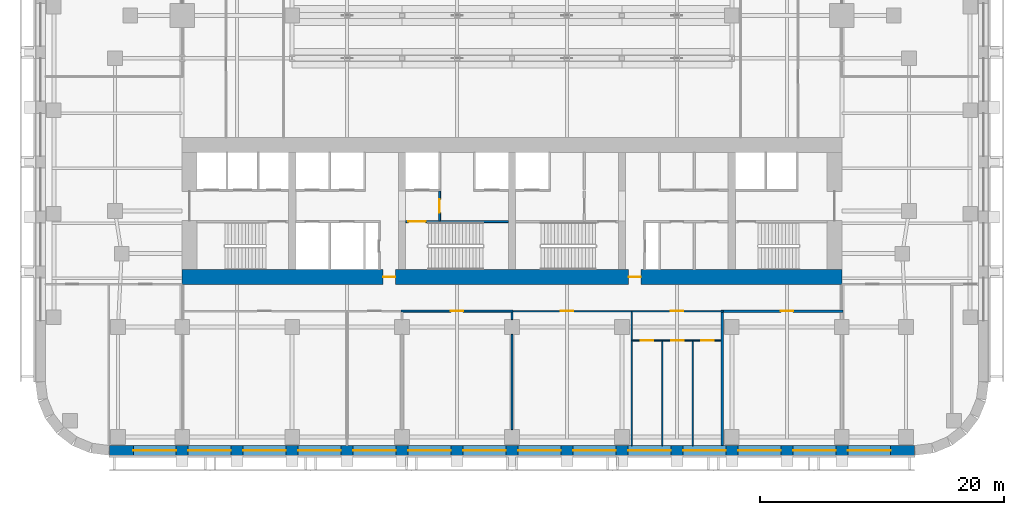
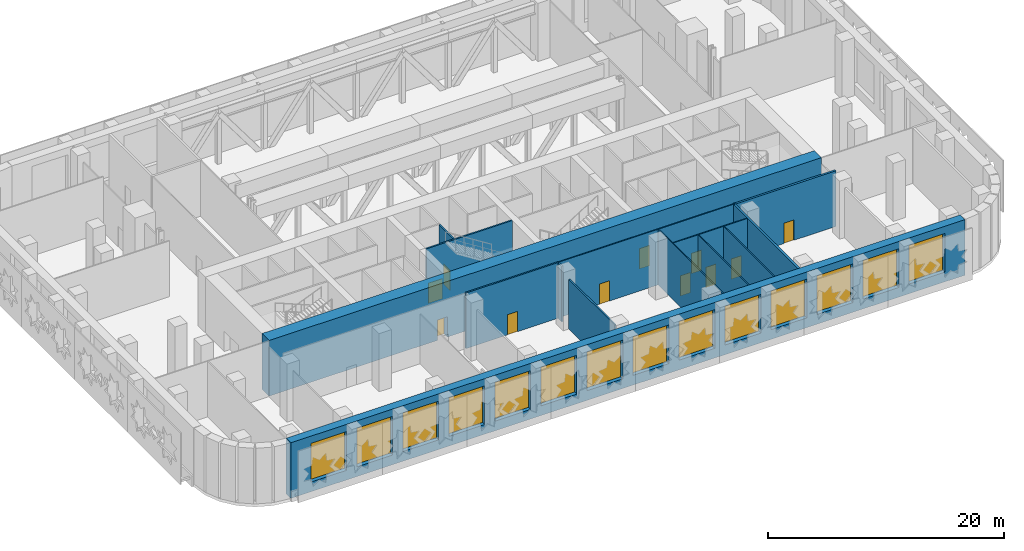
# One storey, part 6 of 15: 14 walls, 14 windows, 11 doors, 25 openings.
"""IFC4 building model written with IfcOpenShell, lengths in metres."""

from ifc_helpers import new_model, si_unit, direction, frame, frame_2d, origin, place, context, subcontext, project, spatial, rectangle, extrude, material, layer, layer_set, type_object, element, fill, save


model = new_model("IFC4")

# Units and contexts
model_context = context("Model", 3, precision=1e-05, world=origin(), true_north=direction((0.0, 1.0)))
body_context = subcontext(model_context, "Body", "Model", "MODEL_VIEW")
ifc_project = project(units=[si_unit("LENGTHUNIT", "METRE"), si_unit("AREAUNIT", "SQUARE_METRE"), si_unit("VOLUMEUNIT", "CUBIC_METRE"), si_unit("PLANEANGLEUNIT", "RADIAN"), si_unit("MASSUNIT", "GRAM", prefix="KILO")], contexts=[model_context])

# Site, building, storey
site_placement = place(None, origin())
site = spatial("IfcSite", under=ifc_project, at=site_placement, CompositionType="ELEMENT")
building_placement = place(site_placement, origin())
building = spatial("IfcBuilding", under=site, at=building_placement, Name="Zellij Exchange Tower", CompositionType="ELEMENT")
storey_placement = place(building_placement, frame((0.0, 0.0, 33.0)))
storey = spatial("IfcBuildingStorey", under=building, at=storey_placement, Name="L05", CompositionType="ELEMENT", Elevation=33.0)

# Wall, opening, door
ifc_material_1 = material(Name="Gypsum shaft wall system")
ifc_layer_1 = layer(ifc_material_1, 0.14990234375)
ifc_layer_set_1 = layer_set([ifc_layer_1], Name="Gypsum shaft wall system")
wall_type_1 = type_object("IfcWallType", Name="CORE-PW 150 Firefighting lobby wall", PredefinedType="PARTITIONING", material=ifc_layer_set_1)
wall_1_placement = place(storey_placement, frame((-5.925048828125, -8.800048828125, 0.0), z_axis=(0.0, 0.0, 1.0), x_axis=(0.0, 1.0, 0.0)))
wall_1 = element("IfcWall", 1, at=wall_1_placement, inside=storey, type_object=wall_type_1, Name="Firefighting lobby wall L05", PredefinedType="PARTITIONING", context=body_context, shape_type="SweptSolid", body=[
    extrude(rectangle(XDim=2.425048828125, YDim=0.14990234375, at=frame_2d((1.21240234375, 0.0))), origin(), (0.0, 0.0, 1.0), 5.75),
])
opening_1_placement = place(wall_1_placement, frame((0.662109375, 0.0, 0.0)))
opening_1 = element("IfcOpeningElement", 2, at=opening_1_placement, cuts=wall_1, Name="Opening CA-05.14", PredefinedType="OPENING", context=body_context, shape_type="SweptSolid", body=[
    extrude(rectangle(XDim=1.10009765625, YDim=2.10009765625, at=frame_2d((0.550048828125, 1.050048828125))), frame((0.0, 0.0869140625, 0.0), z_axis=(0.0, -1.0, 0.0), x_axis=(1.0, 0.0, 0.0)), (0.0, 0.0, 1.0), 0.173828125),
])
ifc_material_2 = material(Name="Hollow metal fire door")
door_type_1 = type_object("IfcDoorType", Name="CORE-D F Firefighting lobby door 1100x2100 1 HR", OperationType="NOTDEFINED", PredefinedType="DOOR", material=ifc_material_2)
door_1_placement = place(opening_1_placement, origin())
door_1 = element("IfcDoor", 3, at=door_1_placement, inside=storey, type_object=door_type_1, Name="Firefighting lobby door CA-05.14", OperationType="SINGLE_SWING_LEFT", OverallHeight=2.10009765625, OverallWidth=1.10009765625, PredefinedType="DOOR", context=body_context, shape_type="SweptSolid", body=[
    extrude(rectangle(XDim=1.10009765625, YDim=2.10009765625, at=frame_2d((0.550048828125, 1.050048828125))), frame((0.0, 0.02490234375, 0.0), z_axis=(0.0, -1.0, 0.0), x_axis=(1.0, 0.0, 0.0)), (0.0, 0.0, 1.0), 0.050048828125),
])
fill(opening_1, door_1)

# Wall, openings, doors
ifc_material_3 = material(Name="Concrete C70/85", Category="concrete")
ifc_layer_2 = layer(ifc_material_3, 1.199951171875)
ifc_layer_set_2 = layer_set([ifc_layer_2], Name="Concrete C70/85")
wall_type_2 = type_object("IfcWallType", Name="CORE-SW 1200 C70/85", PredefinedType="SHEAR", material=ifc_layer_set_2)
wall_2_placement = place(storey_placement, frame((-27.0, -13.39990234375, 0.0), z_axis=(0.0, 0.0, 1.0), x_axis=(1.0, 0.0, 0.0)))
wall_2 = element("IfcWall", 4, at=wall_2_placement, inside=storey, type_object=wall_type_2, Name="Core shear wall rear L05", PredefinedType="SHEAR", context=body_context, shape_type="SweptSolid", body=[
    extrude(rectangle(XDim=54.0, YDim=1.199951171875, at=frame_2d((27.0, 0.0))), origin(), (0.0, 0.0, 1.0), 5.75),
])
opening_2_placement = place(wall_2_placement, frame((16.449951171875, 0.0, 0.0)))
opening_2 = element("IfcOpeningElement", 5, at=opening_2_placement, cuts=wall_2, Name="Opening CA-05.11", PredefinedType="OPENING", context=body_context, shape_type="SweptSolid", body=[
    extrude(rectangle(XDim=1.0, YDim=2.10009765625, at=frame_2d((0.5, 1.050048828125))), frame((0.0, 0.61181640625, 0.0), z_axis=(0.0, -1.0, 0.0), x_axis=(1.0, 0.0, 0.0)), (0.0, 0.0, 1.0), 1.223876953125),
])
opening_3_placement = place(wall_2_placement, frame((36.550048828125, 0.0, 0.0)))
opening_3 = element("IfcOpeningElement", 6, at=opening_3_placement, cuts=wall_2, Name="Opening CA-05.19", PredefinedType="OPENING", context=body_context, shape_type="SweptSolid", body=[
    extrude(rectangle(XDim=1.0, YDim=2.10009765625, at=frame_2d((0.5, 1.050048828125))), frame((0.0, 0.61181640625, 0.0), z_axis=(0.0, -1.0, 0.0), x_axis=(1.0, 0.0, 0.0)), (0.0, 0.0, 1.0), 1.223876953125),
])
door_type_2 = type_object("IfcDoorType", Name="CORE-D CR Core rear door 1000x2100 20 MIN", OperationType="NOTDEFINED", PredefinedType="DOOR", material=ifc_material_2)
door_2_placement = place(opening_2_placement, origin())
door_2 = element("IfcDoor", 7, at=door_2_placement, inside=storey, type_object=door_type_2, Name="Core rear door CA-05.11", OperationType="SINGLE_SWING_RIGHT", OverallHeight=2.10009765625, OverallWidth=1.0, PredefinedType="DOOR", context=body_context, shape_type="SweptSolid", body=[
    extrude(rectangle(XDim=1.0, YDim=2.10009765625, at=frame_2d((0.5, 1.050048828125))), frame((0.0, 0.02490234375, 0.0), z_axis=(0.0, -1.0, 0.0), x_axis=(1.0, 0.0, 0.0)), (0.0, 0.0, 1.0), 0.050048828125),
])
fill(opening_2, door_2)
door_3_placement = place(opening_3_placement, origin())
door_3 = element("IfcDoor", 8, at=door_3_placement, inside=storey, type_object=door_type_2, Name="Core rear door CA-05.19", OperationType="SINGLE_SWING_LEFT", OverallHeight=2.10009765625, OverallWidth=1.0, PredefinedType="DOOR", context=body_context, shape_type="SweptSolid", body=[
    extrude(rectangle(XDim=1.0, YDim=2.10009765625, at=frame_2d((0.5, 1.050048828125))), frame((0.0, 0.02490234375, 0.0), z_axis=(0.0, -1.0, 0.0), x_axis=(1.0, 0.0, 0.0)), (0.0, 0.0, 1.0), 0.050048828125),
])
fill(opening_3, door_3)

# Wall, opening, door
ifc_layer_3 = layer(ifc_material_3, 0.14990234375)
ifc_layer_set_3 = layer_set([ifc_layer_3], Name="Concrete C70/85")
wall_type_3 = type_object("IfcWallType", Name="CORE-SWS 150 C70/85", PredefinedType="SHEAR", material=ifc_layer_set_3)
wall_3_placement = place(storey_placement, frame((-8.699951171875, -8.875, 0.0), z_axis=(0.0, 0.0, 1.0), x_axis=(1.0, 0.0, 0.0)))
wall_3 = element("IfcWall", 9, at=wall_3_placement, inside=storey, type_object=wall_type_3, Name="Stair enclosure wall L05", PredefinedType="SHEAR", context=body_context, shape_type="SweptSolid", body=[
    extrude(rectangle(XDim=8.39990234375, YDim=0.14990234375, at=frame_2d((4.199951171875, 0.0))), origin(), (0.0, 0.0, 1.0), 5.75),
])
opening_4_placement = place(wall_3_placement, frame((0.22509765625, 0.0, 0.0)))
opening_4 = element("IfcOpeningElement", 10, at=opening_4_placement, cuts=wall_3, Name="Opening CA-05.12", PredefinedType="OPENING", context=body_context, shape_type="SweptSolid", body=[
    extrude(rectangle(XDim=1.39990234375, YDim=2.10009765625, at=frame_2d((0.699951171875, 1.050048828125))), frame((0.0, 0.0869140625, 0.0), z_axis=(0.0, -1.0, 0.0), x_axis=(1.0, 0.0, 0.0)), (0.0, 0.0, 1.0), 0.173828125),
])
door_type_3 = type_object("IfcDoorType", Name="CORE-D SD Stair door 1400x2100 1.5 HR", OperationType="NOTDEFINED", PredefinedType="DOOR", material=ifc_material_2)
door_4_placement = place(opening_4_placement, origin())
door_4 = element("IfcDoor", 11, at=door_4_placement, inside=storey, type_object=door_type_3, Name="Stair door CA-05.12", OperationType="DOUBLE_DOOR_SINGLE_SWING", OverallHeight=2.10009765625, OverallWidth=1.39990234375, PredefinedType="DOOR", context=body_context, shape_type="SweptSolid", body=[
    extrude(rectangle(XDim=1.39990234375, YDim=2.10009765625, at=frame_2d((0.699951171875, 1.050048828125))), frame((0.0, 0.02490234375, 0.0), z_axis=(0.0, -1.0, 0.0), x_axis=(1.0, 0.0, 0.0)), (0.0, 0.0, 1.0), 0.050048828125),
])
fill(opening_4, door_4)

# Wall, openings, windows
ifc_material_4 = material(Name="Precast concrete C40/50", Category="concrete")
ifc_layer_4 = layer(ifc_material_4, 0.800048828125)
ifc_layer_set_4 = layer_set([ifc_layer_4], Name="Precast concrete C40/50")
wall_type_4 = type_object("IfcWallType", Name="ENV-EW1 Precast stone-piered wall 800", PredefinedType="SOLIDWALL", material=ifc_layer_set_4)
wall_4_placement = place(storey_placement, frame((-32.947509765625, -27.60009765625, 0.0), z_axis=(0.0, 0.0, 1.0), x_axis=(1.0, 0.0, 0.0)))
wall_4 = element("IfcWall", 12, at=wall_4_placement, inside=storey, type_object=wall_type_4, Name="fac.L05.00", PredefinedType="SOLIDWALL", context=body_context, shape_type="SweptSolid", body=[
    extrude(rectangle(XDim=65.89501953125, YDim=0.800048828125, at=frame_2d((32.947509765625, 0.0))), origin(), (0.0, 0.0, 1.0), 5.75),
])
opening_5_placement = place(wall_4_placement, frame((1.947509765625, 0.0, 1.0)))
opening_5 = element("IfcOpeningElement", 13, at=opening_5_placement, cuts=wall_4, Name="Opening FP.01", PredefinedType="OPENING", context=body_context, shape_type="SweptSolid", body=[
    extrude(rectangle(XDim=3.5, YDim=4.0, at=frame_2d((1.75, 2.0))), frame((0.0, 0.412109375, 0.0), z_axis=(0.0, -1.0, 0.0), x_axis=(1.0, 0.0, 0.0)), (0.0, 0.0, 1.0), 0.823974609375),
])
opening_6_placement = place(wall_4_placement, frame((6.447509765625, 0.0, 1.0)))
opening_6 = element("IfcOpeningElement", 14, at=opening_6_placement, cuts=wall_4, Name="Opening FP.02", PredefinedType="OPENING", context=body_context, shape_type="SweptSolid", body=[
    extrude(rectangle(XDim=3.5, YDim=4.0, at=frame_2d((1.75, 2.0))), frame((0.0, 0.412109375, 0.0), z_axis=(0.0, -1.0, 0.0), x_axis=(1.0, 0.0, 0.0)), (0.0, 0.0, 1.0), 0.823974609375),
])
opening_7_placement = place(wall_4_placement, frame((10.947509765625, 0.0, 1.0)))
opening_7 = element("IfcOpeningElement", 15, at=opening_7_placement, cuts=wall_4, Name="Opening FP.03", PredefinedType="OPENING", context=body_context, shape_type="SweptSolid", body=[
    extrude(rectangle(XDim=3.5, YDim=4.0, at=frame_2d((1.75, 2.0))), frame((0.0, 0.412109375, 0.0), z_axis=(0.0, -1.0, 0.0), x_axis=(1.0, 0.0, 0.0)), (0.0, 0.0, 1.0), 0.823974609375),
])
opening_8_placement = place(wall_4_placement, frame((15.447509765625, 0.0, 1.0)))
opening_8 = element("IfcOpeningElement", 16, at=opening_8_placement, cuts=wall_4, Name="Opening FP.04", PredefinedType="OPENING", context=body_context, shape_type="SweptSolid", body=[
    extrude(rectangle(XDim=3.5, YDim=4.0, at=frame_2d((1.75, 2.0))), frame((0.0, 0.412109375, 0.0), z_axis=(0.0, -1.0, 0.0), x_axis=(1.0, 0.0, 0.0)), (0.0, 0.0, 1.0), 0.823974609375),
])
opening_9_placement = place(wall_4_placement, frame((19.947509765625, 0.0, 1.0)))
opening_9 = element("IfcOpeningElement", 17, at=opening_9_placement, cuts=wall_4, Name="Opening FP.05", PredefinedType="OPENING", context=body_context, shape_type="SweptSolid", body=[
    extrude(rectangle(XDim=3.5, YDim=4.0, at=frame_2d((1.75, 2.0))), frame((0.0, 0.412109375, 0.0), z_axis=(0.0, -1.0, 0.0), x_axis=(1.0, 0.0, 0.0)), (0.0, 0.0, 1.0), 0.823974609375),
])
opening_10_placement = place(wall_4_placement, frame((24.447509765625, 0.0, 1.0)))
opening_10 = element("IfcOpeningElement", 18, at=opening_10_placement, cuts=wall_4, Name="Opening FP.06", PredefinedType="OPENING", context=body_context, shape_type="SweptSolid", body=[
    extrude(rectangle(XDim=3.5, YDim=4.0, at=frame_2d((1.75, 2.0))), frame((0.0, 0.412109375, 0.0), z_axis=(0.0, -1.0, 0.0), x_axis=(1.0, 0.0, 0.0)), (0.0, 0.0, 1.0), 0.823974609375),
])
opening_11_placement = place(wall_4_placement, frame((28.947509765625, 0.0, 1.0)))
opening_11 = element("IfcOpeningElement", 19, at=opening_11_placement, cuts=wall_4, Name="Opening FP.07", PredefinedType="OPENING", context=body_context, shape_type="SweptSolid", body=[
    extrude(rectangle(XDim=3.5, YDim=4.0, at=frame_2d((1.75, 2.0))), frame((0.0, 0.412109375, 0.0), z_axis=(0.0, -1.0, 0.0), x_axis=(1.0, 0.0, 0.0)), (0.0, 0.0, 1.0), 0.823974609375),
])
opening_12_placement = place(wall_4_placement, frame((33.447509765625, 0.0, 1.0)))
opening_12 = element("IfcOpeningElement", 20, at=opening_12_placement, cuts=wall_4, Name="Opening FP.08", PredefinedType="OPENING", context=body_context, shape_type="SweptSolid", body=[
    extrude(rectangle(XDim=3.5, YDim=4.0, at=frame_2d((1.75, 2.0))), frame((0.0, 0.412109375, 0.0), z_axis=(0.0, -1.0, 0.0), x_axis=(1.0, 0.0, 0.0)), (0.0, 0.0, 1.0), 0.823974609375),
])
opening_13_placement = place(wall_4_placement, frame((37.947509765625, 0.0, 1.0)))
opening_13 = element("IfcOpeningElement", 21, at=opening_13_placement, cuts=wall_4, Name="Opening FP.09", PredefinedType="OPENING", context=body_context, shape_type="SweptSolid", body=[
    extrude(rectangle(XDim=3.5, YDim=4.0, at=frame_2d((1.75, 2.0))), frame((0.0, 0.412109375, 0.0), z_axis=(0.0, -1.0, 0.0), x_axis=(1.0, 0.0, 0.0)), (0.0, 0.0, 1.0), 0.823974609375),
])
opening_14_placement = place(wall_4_placement, frame((42.447509765625, 0.0, 1.0)))
opening_14 = element("IfcOpeningElement", 22, at=opening_14_placement, cuts=wall_4, Name="Opening FP.10", PredefinedType="OPENING", context=body_context, shape_type="SweptSolid", body=[
    extrude(rectangle(XDim=3.5, YDim=4.0, at=frame_2d((1.75, 2.0))), frame((0.0, 0.412109375, 0.0), z_axis=(0.0, -1.0, 0.0), x_axis=(1.0, 0.0, 0.0)), (0.0, 0.0, 1.0), 0.823974609375),
])
opening_15_placement = place(wall_4_placement, frame((46.947509765625, 0.0, 1.0)))
opening_15 = element("IfcOpeningElement", 23, at=opening_15_placement, cuts=wall_4, Name="Opening FP.11", PredefinedType="OPENING", context=body_context, shape_type="SweptSolid", body=[
    extrude(rectangle(XDim=3.5, YDim=4.0, at=frame_2d((1.75, 2.0))), frame((0.0, 0.412109375, 0.0), z_axis=(0.0, -1.0, 0.0), x_axis=(1.0, 0.0, 0.0)), (0.0, 0.0, 1.0), 0.823974609375),
])
opening_16_placement = place(wall_4_placement, frame((51.447509765625, 0.0, 1.0)))
opening_16 = element("IfcOpeningElement", 24, at=opening_16_placement, cuts=wall_4, Name="Opening FP.12", PredefinedType="OPENING", context=body_context, shape_type="SweptSolid", body=[
    extrude(rectangle(XDim=3.5, YDim=4.0, at=frame_2d((1.75, 2.0))), frame((0.0, 0.412109375, 0.0), z_axis=(0.0, -1.0, 0.0), x_axis=(1.0, 0.0, 0.0)), (0.0, 0.0, 1.0), 0.823974609375),
])
opening_17_placement = place(wall_4_placement, frame((55.947509765625, 0.0, 1.0)))
opening_17 = element("IfcOpeningElement", 25, at=opening_17_placement, cuts=wall_4, Name="Opening FP.13", PredefinedType="OPENING", context=body_context, shape_type="SweptSolid", body=[
    extrude(rectangle(XDim=3.5, YDim=4.0, at=frame_2d((1.75, 2.0))), frame((0.0, 0.412109375, 0.0), z_axis=(0.0, -1.0, 0.0), x_axis=(1.0, 0.0, 0.0)), (0.0, 0.0, 1.0), 0.823974609375),
])
opening_18_placement = place(wall_4_placement, frame((60.447509765625, 0.0, 1.0)))
opening_18 = element("IfcOpeningElement", 26, at=opening_18_placement, cuts=wall_4, Name="Opening FP.14", PredefinedType="OPENING", context=body_context, shape_type="SweptSolid", body=[
    extrude(rectangle(XDim=3.5, YDim=4.0, at=frame_2d((1.75, 2.0))), frame((0.0, 0.412109375, 0.0), z_axis=(0.0, -1.0, 0.0), x_axis=(1.0, 0.0, 0.0)), (0.0, 0.0, 1.0), 0.823974609375),
])
ifc_material_5 = material(Name="Aluminium frame with insulating glass", Category="aluminium")
window_type = type_object("IfcWindowType", Name="ENV-W2 Window 3500x4000", PartitioningType="SINGLE_PANEL", PredefinedType="WINDOW", material=ifc_material_5)
window_1_placement = place(opening_5_placement, origin())
window_1 = element("IfcWindow", 27, at=window_1_placement, inside=storey, type_object=window_type, Name="Window FP.01", OverallHeight=4.0, OverallWidth=3.5, PartitioningType="SINGLE_PANEL", PredefinedType="WINDOW", context=body_context, shape_type="SweptSolid", body=[
    extrude(rectangle(XDim=3.5, YDim=4.0, at=frame_2d((1.75, 2.0))), frame((0.0, 0.030029296875, 0.0), z_axis=(0.0, -1.0, 0.0), x_axis=(1.0, 0.0, 0.0)), (0.0, 0.0, 1.0), 0.06005859375),
])
fill(opening_5, window_1)
window_2_placement = place(opening_6_placement, origin())
window_2 = element("IfcWindow", 28, at=window_2_placement, inside=storey, type_object=window_type, Name="Window FP.02", OverallHeight=4.0, OverallWidth=3.5, PartitioningType="SINGLE_PANEL", PredefinedType="WINDOW", context=body_context, shape_type="SweptSolid", body=[
    extrude(rectangle(XDim=3.5, YDim=4.0, at=frame_2d((1.75, 2.0))), frame((0.0, 0.030029296875, 0.0), z_axis=(0.0, -1.0, 0.0), x_axis=(1.0, 0.0, 0.0)), (0.0, 0.0, 1.0), 0.06005859375),
])
fill(opening_6, window_2)
window_3_placement = place(opening_7_placement, origin())
window_3 = element("IfcWindow", 29, at=window_3_placement, inside=storey, type_object=window_type, Name="Window FP.03", OverallHeight=4.0, OverallWidth=3.5, PartitioningType="SINGLE_PANEL", PredefinedType="WINDOW", context=body_context, shape_type="SweptSolid", body=[
    extrude(rectangle(XDim=3.5, YDim=4.0, at=frame_2d((1.75, 2.0))), frame((0.0, 0.030029296875, 0.0), z_axis=(0.0, -1.0, 0.0), x_axis=(1.0, 0.0, 0.0)), (0.0, 0.0, 1.0), 0.06005859375),
])
fill(opening_7, window_3)
window_4_placement = place(opening_8_placement, origin())
window_4 = element("IfcWindow", 30, at=window_4_placement, inside=storey, type_object=window_type, Name="Window FP.04", OverallHeight=4.0, OverallWidth=3.5, PartitioningType="SINGLE_PANEL", PredefinedType="WINDOW", context=body_context, shape_type="SweptSolid", body=[
    extrude(rectangle(XDim=3.5, YDim=4.0, at=frame_2d((1.75, 2.0))), frame((0.0, 0.030029296875, 0.0), z_axis=(0.0, -1.0, 0.0), x_axis=(1.0, 0.0, 0.0)), (0.0, 0.0, 1.0), 0.06005859375),
])
fill(opening_8, window_4)
window_5_placement = place(opening_9_placement, origin())
window_5 = element("IfcWindow", 31, at=window_5_placement, inside=storey, type_object=window_type, Name="Window FP.05", OverallHeight=4.0, OverallWidth=3.5, PartitioningType="SINGLE_PANEL", PredefinedType="WINDOW", context=body_context, shape_type="SweptSolid", body=[
    extrude(rectangle(XDim=3.5, YDim=4.0, at=frame_2d((1.75, 2.0))), frame((0.0, 0.030029296875, 0.0), z_axis=(0.0, -1.0, 0.0), x_axis=(1.0, 0.0, 0.0)), (0.0, 0.0, 1.0), 0.06005859375),
])
fill(opening_9, window_5)
window_6_placement = place(opening_10_placement, origin())
window_6 = element("IfcWindow", 32, at=window_6_placement, inside=storey, type_object=window_type, Name="Window FP.06", OverallHeight=4.0, OverallWidth=3.5, PartitioningType="SINGLE_PANEL", PredefinedType="WINDOW", context=body_context, shape_type="SweptSolid", body=[
    extrude(rectangle(XDim=3.5, YDim=4.0, at=frame_2d((1.75, 2.0))), frame((0.0, 0.030029296875, 0.0), z_axis=(0.0, -1.0, 0.0), x_axis=(1.0, 0.0, 0.0)), (0.0, 0.0, 1.0), 0.06005859375),
])
fill(opening_10, window_6)
window_7_placement = place(opening_11_placement, origin())
window_7 = element("IfcWindow", 33, at=window_7_placement, inside=storey, type_object=window_type, Name="Window FP.07", OverallHeight=4.0, OverallWidth=3.5, PartitioningType="SINGLE_PANEL", PredefinedType="WINDOW", context=body_context, shape_type="SweptSolid", body=[
    extrude(rectangle(XDim=3.5, YDim=4.0, at=frame_2d((1.75, 2.0))), frame((0.0, 0.030029296875, 0.0), z_axis=(0.0, -1.0, 0.0), x_axis=(1.0, 0.0, 0.0)), (0.0, 0.0, 1.0), 0.06005859375),
])
fill(opening_11, window_7)
window_8_placement = place(opening_12_placement, origin())
window_8 = element("IfcWindow", 34, at=window_8_placement, inside=storey, type_object=window_type, Name="Window FP.08", OverallHeight=4.0, OverallWidth=3.5, PartitioningType="SINGLE_PANEL", PredefinedType="WINDOW", context=body_context, shape_type="SweptSolid", body=[
    extrude(rectangle(XDim=3.5, YDim=4.0, at=frame_2d((1.75, 2.0))), frame((0.0, 0.030029296875, 0.0), z_axis=(0.0, -1.0, 0.0), x_axis=(1.0, 0.0, 0.0)), (0.0, 0.0, 1.0), 0.06005859375),
])
fill(opening_12, window_8)
window_9_placement = place(opening_13_placement, origin())
window_9 = element("IfcWindow", 35, at=window_9_placement, inside=storey, type_object=window_type, Name="Window FP.09", OverallHeight=4.0, OverallWidth=3.5, PartitioningType="SINGLE_PANEL", PredefinedType="WINDOW", context=body_context, shape_type="SweptSolid", body=[
    extrude(rectangle(XDim=3.5, YDim=4.0, at=frame_2d((1.75, 2.0))), frame((0.0, 0.030029296875, 0.0), z_axis=(0.0, -1.0, 0.0), x_axis=(1.0, 0.0, 0.0)), (0.0, 0.0, 1.0), 0.06005859375),
])
fill(opening_13, window_9)
window_10_placement = place(opening_14_placement, origin())
window_10 = element("IfcWindow", 36, at=window_10_placement, inside=storey, type_object=window_type, Name="Window FP.10", OverallHeight=4.0, OverallWidth=3.5, PartitioningType="SINGLE_PANEL", PredefinedType="WINDOW", context=body_context, shape_type="SweptSolid", body=[
    extrude(rectangle(XDim=3.5, YDim=4.0, at=frame_2d((1.75, 2.0))), frame((0.0, 0.030029296875, 0.0), z_axis=(0.0, -1.0, 0.0), x_axis=(1.0, 0.0, 0.0)), (0.0, 0.0, 1.0), 0.06005859375),
])
fill(opening_14, window_10)
window_11_placement = place(opening_15_placement, origin())
window_11 = element("IfcWindow", 37, at=window_11_placement, inside=storey, type_object=window_type, Name="Window FP.11", OverallHeight=4.0, OverallWidth=3.5, PartitioningType="SINGLE_PANEL", PredefinedType="WINDOW", context=body_context, shape_type="SweptSolid", body=[
    extrude(rectangle(XDim=3.5, YDim=4.0, at=frame_2d((1.75, 2.0))), frame((0.0, 0.030029296875, 0.0), z_axis=(0.0, -1.0, 0.0), x_axis=(1.0, 0.0, 0.0)), (0.0, 0.0, 1.0), 0.06005859375),
])
fill(opening_15, window_11)
window_12_placement = place(opening_16_placement, origin())
window_12 = element("IfcWindow", 38, at=window_12_placement, inside=storey, type_object=window_type, Name="Window FP.12", OverallHeight=4.0, OverallWidth=3.5, PartitioningType="SINGLE_PANEL", PredefinedType="WINDOW", context=body_context, shape_type="SweptSolid", body=[
    extrude(rectangle(XDim=3.5, YDim=4.0, at=frame_2d((1.75, 2.0))), frame((0.0, 0.030029296875, 0.0), z_axis=(0.0, -1.0, 0.0), x_axis=(1.0, 0.0, 0.0)), (0.0, 0.0, 1.0), 0.06005859375),
])
fill(opening_16, window_12)
window_13_placement = place(opening_17_placement, origin())
window_13 = element("IfcWindow", 39, at=window_13_placement, inside=storey, type_object=window_type, Name="Window FP.13", OverallHeight=4.0, OverallWidth=3.5, PartitioningType="SINGLE_PANEL", PredefinedType="WINDOW", context=body_context, shape_type="SweptSolid", body=[
    extrude(rectangle(XDim=3.5, YDim=4.0, at=frame_2d((1.75, 2.0))), frame((0.0, 0.030029296875, 0.0), z_axis=(0.0, -1.0, 0.0), x_axis=(1.0, 0.0, 0.0)), (0.0, 0.0, 1.0), 0.06005859375),
])
fill(opening_17, window_13)
window_14_placement = place(opening_18_placement, origin())
window_14 = element("IfcWindow", 40, at=window_14_placement, inside=storey, type_object=window_type, Name="Window FP.14", OverallHeight=4.0, OverallWidth=3.5, PartitioningType="SINGLE_PANEL", PredefinedType="WINDOW", context=body_context, shape_type="SweptSolid", body=[
    extrude(rectangle(XDim=3.5, YDim=4.0, at=frame_2d((1.75, 2.0))), frame((0.0, 0.030029296875, 0.0), z_axis=(0.0, -1.0, 0.0), x_axis=(1.0, 0.0, 0.0)), (0.0, 0.0, 1.0), 0.06005859375),
])
fill(opening_18, window_14)

# Wall
ifc_material_6 = material(Name="Blockwork partition", Category="masonry")
ifc_layer_5 = layer(ifc_material_6, 0.199951171875)
ifc_layer_set_5 = layer_set([ifc_layer_5], Name="Blockwork partition")
wall_type_5 = type_object("IfcWallType", Name="FIT-BLOCKWORK-200", PredefinedType="PARTITIONING", material=ifc_layer_set_5)
wall_5_placement = place(storey_placement, frame((17.199951171875, -27.199951171875, 0.0), z_axis=(0.0, 0.0, 1.0), x_axis=(0.0, 1.0, 0.0)))
element("IfcWall", 41, at=wall_5_placement, inside=storey, type_object=wall_type_5, Name="FIT-BLOCKWORK-200 012", PredefinedType="PARTITIONING", context=body_context, shape_type="SweptSolid", body=[
    extrude(rectangle(XDim=10.89990234375, YDim=0.199951171875, at=frame_2d((5.449951171875, 0.0))), origin(), (0.0, 0.0, 1.0), 5.75),
])

# Wall, opening, door
wall_6_placement = place(storey_placement, frame((17.10009765625, -16.199951171875, 0.0), z_axis=(0.0, 0.0, 1.0), x_axis=(1.0, 0.0, 0.0)))
wall_6 = element("IfcWall", 42, at=wall_6_placement, inside=storey, type_object=wall_type_5, Name="FIT-BLOCKWORK-200 021", PredefinedType="PARTITIONING", context=body_context, shape_type="SweptSolid", body=[
    extrude(rectangle(XDim=10.0, YDim=0.199951171875, at=frame_2d((5.0, 0.0))), origin(), (0.0, 0.0, 1.0), 5.75),
])
opening_19_placement = place(wall_6_placement, frame((4.89990234375, 0.0, 0.0)))
opening_19 = element("IfcOpeningElement", 43, at=opening_19_placement, cuts=wall_6, Name="Opening P5.09", PredefinedType="OPENING", context=body_context, shape_type="SweptSolid", body=[
    extrude(rectangle(XDim=1.0, YDim=2.10009765625, at=frame_2d((0.5, 1.050048828125))), frame((0.0, 0.11181640625, 0.0), z_axis=(0.0, -1.0, 0.0), x_axis=(1.0, 0.0, 0.0)), (0.0, 0.0, 1.0), 0.223876953125),
])
ifc_material_7 = material(Name="Timber door set", Category="wood")
door_type_4 = type_object("IfcDoorType", Name="FIT-D2-WIDE-1000X2100", OperationType="SINGLE_SWING_LEFT", PredefinedType="DOOR", material=ifc_material_7)
door_5_placement = place(opening_19_placement, origin())
door_5 = element("IfcDoor", 44, at=door_5_placement, inside=storey, type_object=door_type_4, Name="Door P5.09", OperationType="SINGLE_SWING_LEFT", OverallHeight=2.10009765625, OverallWidth=1.0, PredefinedType="DOOR", context=body_context, shape_type="SweptSolid", body=[
    extrude(rectangle(XDim=1.0, YDim=2.10009765625, at=frame_2d((0.5, 1.050048828125))), frame((0.0, 0.02490234375, 0.0), z_axis=(0.0, -1.0, 0.0), x_axis=(1.0, 0.0, 0.0)), (0.0, 0.0, 1.0), 0.050048828125),
])
fill(opening_19, door_5)

# Walls
ifc_material_8 = material(Name="Gypsum board partition on steel studs", Category="steel")
ifc_layer_6 = layer(ifc_material_8, 0.10009765625)
ifc_layer_set_6 = layer_set([ifc_layer_6], Name="Gypsum board partition on steel studs")
wall_type_6 = type_object("IfcWallType", Name="FIT-PARTITION-100", PredefinedType="PARTITIONING", material=ifc_layer_set_6)
wall_7_placement = place(storey_placement, frame((9.800048828125, -27.199951171875, 0.0), z_axis=(0.0, 0.0, 1.0), x_axis=(0.0, 1.0, 0.0)))
element("IfcWall", 45, at=wall_7_placement, inside=storey, type_object=wall_type_6, Name="FIT-PARTITION-100 009", PredefinedType="PARTITIONING", context=body_context, shape_type="SweptSolid", body=[
    extrude(rectangle(XDim=10.949951171875, YDim=0.10009765625, at=frame_2d((5.47509765625, 0.0))), origin(), (0.0, 0.0, 1.0), 5.75),
])
for number, where, z_axis, x_axis, name in (
    (46, (12.300048828125, -27.199951171875, 0.0), (0.0, 0.0, 1.0), (0.0, 1.0, 0.0), "FIT-PARTITION-100 010"),
    (47, (14.800048828125, -27.199951171875, 0.0), (0.0, 0.0, 1.0), (0.0, 1.0, 0.0), "FIT-PARTITION-100 011"),
):
    element("IfcWall", number, at=place(storey_placement, frame(where, z_axis=z_axis, x_axis=x_axis)), inside=storey, type_object=wall_type_6, Name=name, PredefinedType="PARTITIONING", context=body_context, shape_type="SweptSolid", body=[
        extrude(rectangle(XDim=8.550048828125, YDim=0.10009765625, at=frame_2d((4.27490234375, 0.0))), origin(), (0.0, 0.0, 1.0), 5.75),
    ])

# Wall, openings, doors
wall_8_placement = place(storey_placement, frame((9.85009765625, -18.60009765625, 0.0), z_axis=(0.0, 0.0, 1.0), x_axis=(1.0, 0.0, 0.0)))
wall_8 = element("IfcWall", 48, at=wall_8_placement, inside=storey, type_object=wall_type_6, Name="FIT-PARTITION-100 017", PredefinedType="PARTITIONING", context=body_context, shape_type="SweptSolid", body=[
    extrude(rectangle(XDim=7.25, YDim=0.10009765625, at=frame_2d((3.625, 0.0))), origin(), (0.0, 0.0, 1.0), 5.75),
])
opening_20_placement = place(wall_8_placement, frame((0.699951171875, 0.0, 0.0)))
opening_20 = element("IfcOpeningElement", 49, at=opening_20_placement, cuts=wall_8, Name="Opening P5.01", PredefinedType="OPENING", context=body_context, shape_type="SweptSolid", body=[
    extrude(rectangle(XDim=1.0, YDim=2.10009765625, at=frame_2d((0.5, 1.050048828125))), frame((0.0, 0.06201171875, 0.0), z_axis=(0.0, -1.0, 0.0), x_axis=(1.0, 0.0, 0.0)), (0.0, 0.0, 1.0), 0.1240234375),
])
opening_21_placement = place(wall_8_placement, frame((3.199951171875, 0.0, 0.0)))
opening_21 = element("IfcOpeningElement", 50, at=opening_21_placement, cuts=wall_8, Name="Opening P5.02", PredefinedType="OPENING", context=body_context, shape_type="SweptSolid", body=[
    extrude(rectangle(XDim=1.0, YDim=2.10009765625, at=frame_2d((0.5, 1.050048828125))), frame((0.0, 0.06201171875, 0.0), z_axis=(0.0, -1.0, 0.0), x_axis=(1.0, 0.0, 0.0)), (0.0, 0.0, 1.0), 0.1240234375),
])
opening_22_placement = place(wall_8_placement, frame((5.64990234375, 0.0, 0.0)))
opening_22 = element("IfcOpeningElement", 51, at=opening_22_placement, cuts=wall_8, Name="Opening P5.03", PredefinedType="OPENING", context=body_context, shape_type="SweptSolid", body=[
    extrude(rectangle(XDim=1.0, YDim=2.10009765625, at=frame_2d((0.5, 1.050048828125))), frame((0.0, 0.06201171875, 0.0), z_axis=(0.0, -1.0, 0.0), x_axis=(1.0, 0.0, 0.0)), (0.0, 0.0, 1.0), 0.1240234375),
])
door_6_placement = place(opening_20_placement, origin())
door_6 = element("IfcDoor", 52, at=door_6_placement, inside=storey, type_object=door_type_4, Name="Door P5.01", OperationType="SINGLE_SWING_LEFT", OverallHeight=2.10009765625, OverallWidth=1.0, PredefinedType="DOOR", context=body_context, shape_type="SweptSolid", body=[
    extrude(rectangle(XDim=1.0, YDim=2.10009765625, at=frame_2d((0.5, 1.050048828125))), frame((0.0, 0.02490234375, 0.0), z_axis=(0.0, -1.0, 0.0), x_axis=(1.0, 0.0, 0.0)), (0.0, 0.0, 1.0), 0.050048828125),
])
fill(opening_20, door_6)
door_7_placement = place(opening_21_placement, origin())
door_7 = element("IfcDoor", 53, at=door_7_placement, inside=storey, type_object=door_type_4, Name="Door P5.02", OperationType="SINGLE_SWING_LEFT", OverallHeight=2.10009765625, OverallWidth=1.0, PredefinedType="DOOR", context=body_context, shape_type="SweptSolid", body=[
    extrude(rectangle(XDim=1.0, YDim=2.10009765625, at=frame_2d((0.5, 1.050048828125))), frame((0.0, 0.02490234375, 0.0), z_axis=(0.0, -1.0, 0.0), x_axis=(1.0, 0.0, 0.0)), (0.0, 0.0, 1.0), 0.050048828125),
])
fill(opening_21, door_7)
door_8_placement = place(opening_22_placement, origin())
door_8 = element("IfcDoor", 54, at=door_8_placement, inside=storey, type_object=door_type_4, Name="Door P5.03", OperationType="SINGLE_SWING_LEFT", OverallHeight=2.10009765625, OverallWidth=1.0, PredefinedType="DOOR", context=body_context, shape_type="SweptSolid", body=[
    extrude(rectangle(XDim=1.0, YDim=2.10009765625, at=frame_2d((0.5, 1.050048828125))), frame((0.0, 0.02490234375, 0.0), z_axis=(0.0, -1.0, 0.0), x_axis=(1.0, 0.0, 0.0)), (0.0, 0.0, 1.0), 0.050048828125),
])
fill(opening_22, door_8)

wall_9_placement = place(storey_placement, frame((-0.074951171875, -16.199951171875, 0.0), z_axis=(0.0, 0.0, 1.0), x_axis=(1.0, 0.0, 0.0)))
wall_9 = element("IfcWall", 55, at=wall_9_placement, inside=storey, type_object=wall_type_6, Name="FIT-PARTITION-100 020", PredefinedType="PARTITIONING", context=body_context, shape_type="SweptSolid", body=[
    extrude(rectangle(XDim=17.375, YDim=0.10009765625, at=frame_2d((8.6875, 0.0))), origin(), (0.0, 0.0, 1.0), 5.75),
])
opening_23_placement = place(wall_9_placement, frame((4.074951171875, 0.0, 0.0)))
opening_23 = element("IfcOpeningElement", 56, at=opening_23_placement, cuts=wall_9, Name="Opening P5.07", PredefinedType="OPENING", context=body_context, shape_type="SweptSolid", body=[
    extrude(rectangle(XDim=1.0, YDim=2.10009765625, at=frame_2d((0.5, 1.050048828125))), frame((0.0, 0.06201171875, 0.0), z_axis=(0.0, -1.0, 0.0), x_axis=(1.0, 0.0, 0.0)), (0.0, 0.0, 1.0), 0.1240234375),
])
opening_24_placement = place(wall_9_placement, frame((13.074951171875, 0.0, 0.0)))
opening_24 = element("IfcOpeningElement", 57, at=opening_24_placement, cuts=wall_9, Name="Opening P5.08", PredefinedType="OPENING", context=body_context, shape_type="SweptSolid", body=[
    extrude(rectangle(XDim=1.0, YDim=2.10009765625, at=frame_2d((0.5, 1.050048828125))), frame((0.0, 0.06201171875, 0.0), z_axis=(0.0, -1.0, 0.0), x_axis=(1.0, 0.0, 0.0)), (0.0, 0.0, 1.0), 0.1240234375),
])
door_9_placement = place(opening_23_placement, origin())
door_9 = element("IfcDoor", 58, at=door_9_placement, inside=storey, type_object=door_type_4, Name="Door P5.07", OperationType="SINGLE_SWING_RIGHT", OverallHeight=2.10009765625, OverallWidth=1.0, PredefinedType="DOOR", context=body_context, shape_type="SweptSolid", body=[
    extrude(rectangle(XDim=1.0, YDim=2.10009765625, at=frame_2d((0.5, 1.050048828125))), frame((0.0, 0.02490234375, 0.0), z_axis=(0.0, -1.0, 0.0), x_axis=(1.0, 0.0, 0.0)), (0.0, 0.0, 1.0), 0.050048828125),
])
fill(opening_23, door_9)
door_10_placement = place(opening_24_placement, origin())
door_10 = element("IfcDoor", 59, at=door_10_placement, inside=storey, type_object=door_type_4, Name="Door P5.08", OperationType="SINGLE_SWING_LEFT", OverallHeight=2.10009765625, OverallWidth=1.0, PredefinedType="DOOR", context=body_context, shape_type="SweptSolid", body=[
    extrude(rectangle(XDim=1.0, YDim=2.10009765625, at=frame_2d((0.5, 1.050048828125))), frame((0.0, 0.02490234375, 0.0), z_axis=(0.0, -1.0, 0.0), x_axis=(1.0, 0.0, 0.0)), (0.0, 0.0, 1.0), 0.050048828125),
])
fill(opening_24, door_10)

# Walls
ifc_material_9 = material(Name="Gypsum board shaft-wall partition", Category="gypsum")
ifc_layer_7 = layer(ifc_material_9, 0.14990234375)
ifc_layer_set_7 = layer_set([ifc_layer_7], Name="Gypsum board shaft-wall partition")
wall_type_7 = type_object("IfcWallType", Name="FIT-PARTITION-150-EI60", PredefinedType="PARTITIONING", material=ifc_layer_set_7)
wall_10_placement = place(storey_placement, frame((0.0, -25.89990234375, 0.0), z_axis=(0.0, 0.0, 1.0), x_axis=(0.0, 1.0, 0.0)))
element("IfcWall", 60, at=wall_10_placement, inside=storey, type_object=wall_type_7, Name="FIT-PARTITION-150-EI60 007", PredefinedType="PARTITIONING", context=body_context, shape_type="SweptSolid", body=[
    extrude(rectangle(XDim=7.7998046875, YDim=0.14990234375, at=frame_2d((3.89990234375, 0.0))), origin(), (0.0, 0.0, 1.0), 5.137939453125),
])
wall_11_placement = place(storey_placement, frame((0.0, -16.89990234375, 0.0), z_axis=(0.0, 0.0, 1.0), x_axis=(0.0, 1.0, 0.0)))
element("IfcWall", 61, at=wall_11_placement, inside=storey, type_object=wall_type_7, Name="FIT-PARTITION-150-EI60 008", PredefinedType="PARTITIONING", context=body_context, shape_type="SweptSolid", body=[
    extrude(rectangle(XDim=0.625, YDim=0.14990234375, at=frame_2d((0.3125, 0.0))), origin(), (0.0, 0.0, 1.0), 5.75),
])

# Wall, opening, door
wall_12_placement = place(storey_placement, frame((-9.074951171875, -16.199951171875, 0.0), z_axis=(0.0, 0.0, 1.0), x_axis=(1.0, 0.0, 0.0)))
wall_12 = element("IfcWall", 62, at=wall_12_placement, inside=storey, type_object=wall_type_7, Name="FIT-PARTITION-150-EI60 019", PredefinedType="PARTITIONING", context=body_context, shape_type="SweptSolid", body=[
    extrude(rectangle(XDim=9.14990234375, YDim=0.14990234375, at=frame_2d((4.574951171875, 0.0))), origin(), (0.0, 0.0, 1.0), 5.75),
])
opening_25_placement = place(wall_12_placement, frame((4.074951171875, 0.0, 0.0)))
opening_25 = element("IfcOpeningElement", 63, at=opening_25_placement, cuts=wall_12, Name="Opening P5.06", PredefinedType="OPENING", context=body_context, shape_type="SweptSolid", body=[
    extrude(rectangle(XDim=1.0, YDim=2.10009765625, at=frame_2d((0.5, 1.050048828125))), frame((0.0, 0.0869140625, 0.0), z_axis=(0.0, -1.0, 0.0), x_axis=(1.0, 0.0, 0.0)), (0.0, 0.0, 1.0), 0.173828125),
])
door_11_placement = place(opening_25_placement, origin())
door_11 = element("IfcDoor", 64, at=door_11_placement, inside=storey, type_object=door_type_4, Name="Door P5.06", OperationType="SINGLE_SWING_RIGHT", OverallHeight=2.10009765625, OverallWidth=1.0, PredefinedType="DOOR", context=body_context, shape_type="SweptSolid", body=[
    extrude(rectangle(XDim=1.0, YDim=2.10009765625, at=frame_2d((0.5, 1.050048828125))), frame((0.0, 0.02490234375, 0.0), z_axis=(0.0, -1.0, 0.0), x_axis=(1.0, 0.0, 0.0)), (0.0, 0.0, 1.0), 0.050048828125),
])
fill(opening_25, door_11)

save(model, "model.ifc")
